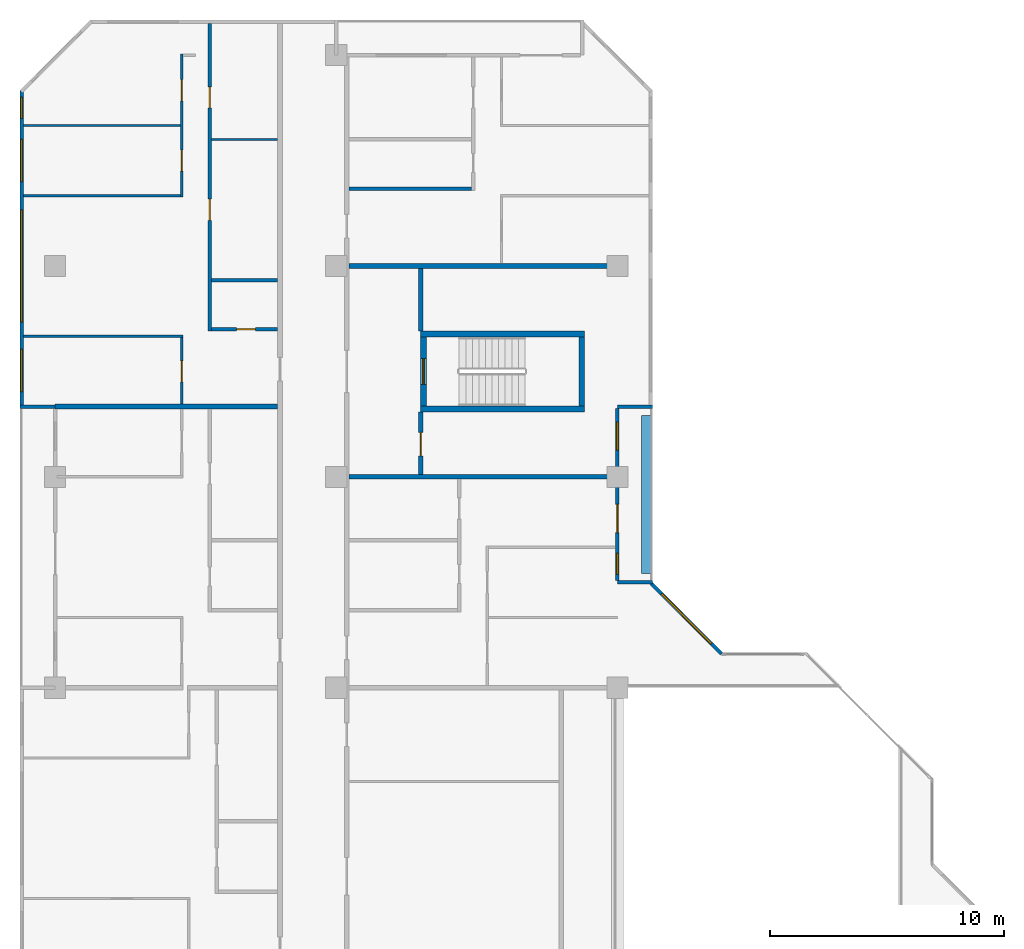
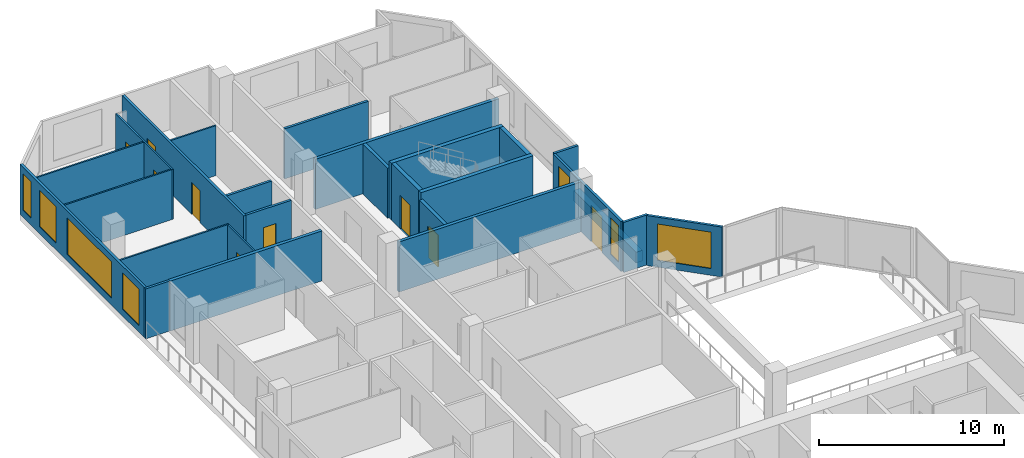
# One storey, part 10 of 15: 26 walls, 9 doors, 7 windows, 16 openings.
"""IFC4 building model written with IfcOpenShell, lengths in metres."""

from ifc_helpers import new_model, si_unit, direction, frame, frame_2d, origin, place, context, subcontext, project, spatial, rectangle, extrude, material, layer, layer_set, type_object, element, fill, save


model = new_model("IFC4")

# Units and contexts
model_context = context("Model", 3, precision=1e-05, world=origin(), true_north=direction((0.0, 1.0)))
body_context = subcontext(model_context, "Body", "Model", "MODEL_VIEW")
ifc_project = project(units=[si_unit("LENGTHUNIT", "METRE"), si_unit("AREAUNIT", "SQUARE_METRE"), si_unit("VOLUMEUNIT", "CUBIC_METRE"), si_unit("PLANEANGLEUNIT", "RADIAN"), si_unit("MASSUNIT", "GRAM", prefix="KILO")], contexts=[model_context])

# Site, building, storey
site_placement = place(None, origin())
site = spatial("IfcSite", under=ifc_project, at=site_placement, CompositionType="ELEMENT")
building_placement = place(site_placement, origin())
building = spatial("IfcBuilding", under=site, at=building_placement, Name="Chenar Terraces", CompositionType="ELEMENT")
storey_placement = place(building_placement, frame((0.0, 0.0, 202.39990234375)))
storey = spatial("IfcBuildingStorey", under=building, at=storey_placement, Name="L47", CompositionType="ELEMENT", Elevation=202.39990234375)

# Walls
ifc_material_1 = material(Name="Concrete C60/75", Category="concrete")
ifc_layer_1 = layer(ifc_material_1, 0.25)
ifc_layer_set_1 = layer_set([ifc_layer_1], Name="Concrete C60/75")
wall_type_1 = type_object("IfcWallType", Name="Core wall 250 Concrete C60/75", PredefinedType="SHEAR", material=ifc_layer_set_1)
for number, where, z_axis, x_axis, name in (
    (1, (15.60009765625, 47.89990234375, 0.0), (0.0, 0.0, 1.0), (1.0, 0.0, 0.0), "Core wall ST4_S L47"),
    (2, (15.60009765625, 51.10009765625, 0.0), (0.0, 0.0, 1.0), (1.0, 0.0, 0.0), "Core wall ST4_N L47"),
):
    element("IfcWall", number, at=place(storey_placement, frame(where, z_axis=z_axis, x_axis=x_axis)), inside=storey, type_object=wall_type_1, Name=name, PredefinedType="SHEAR", context=body_context, shape_type="SweptSolid", body=[
        extrude(rectangle(XDim=7.0, YDim=0.25, at=frame_2d((3.5, 0.0))), origin(), (0.0, 0.0, 1.0), 3.75),
    ])

# Wall, opening, door
wall_1_placement = place(storey_placement, frame((15.72509765625, 48.02490234375, 0.0), z_axis=(0.0, 0.0, 1.0), x_axis=(0.0, 1.0, 0.0)))
wall_1 = element("IfcWall", 3, at=wall_1_placement, inside=storey, type_object=wall_type_1, Name="Core wall ST4_W L47", PredefinedType="SHEAR", context=body_context, shape_type="SweptSolid", body=[
    extrude(rectangle(XDim=2.9501953125, YDim=0.25, at=frame_2d((1.47509765625, 0.0))), origin(), (0.0, 0.0, 1.0), 3.75),
])
opening_1_placement = place(wall_1_placement, frame((0.925048828125, 0.0, 0.0)))
opening_1 = element("IfcOpeningElement", 4, at=opening_1_placement, cuts=wall_1, Name="Opening DL47-C9", PredefinedType="OPENING", context=body_context, shape_type="SweptSolid", body=[
    extrude(rectangle(XDim=1.10009765625, YDim=2.199951171875, at=frame_2d((0.550048828125, 1.10009765625))), frame((0.0, 0.135009765625, 0.0), z_axis=(0.0, -1.0, 0.0), x_axis=(1.0, 0.0, 0.0)), (0.0, 0.0, 1.0), 0.27001953125),
])
ifc_material_2 = material(Name="Steel-framed fire-resisting door leaf", Category="steel")
door_type_1 = type_object("IfcDoorType", Name="Stair fire door FD60 1100 x 2200", OperationType="SINGLE_SWING_LEFT", PredefinedType="DOOR", material=ifc_material_2)
door_1_placement = place(opening_1_placement, frame((1.10009765625, 0.0, 0.0), z_axis=(0.0, 0.0, 1.0), x_axis=(-1.0, 0.0, 0.0)))
door_1 = element("IfcDoor", 5, at=door_1_placement, inside=storey, type_object=door_type_1, Name="Stair door DL47-C9", OperationType="SINGLE_SWING_RIGHT", OverallHeight=2.199951171875, OverallWidth=1.10009765625, PredefinedType="DOOR", context=body_context, shape_type="SweptSolid", body=[
    extrude(rectangle(XDim=1.10009765625, YDim=2.199951171875, at=frame_2d((0.550048828125, 1.10009765625))), frame((0.0, 0.02490234375, 0.0), z_axis=(0.0, -1.0, 0.0), x_axis=(1.0, 0.0, 0.0)), (0.0, 0.0, 1.0), 0.050048828125),
])
fill(opening_1, door_1)

# Wall
wall_2_placement = place(storey_placement, frame((22.47509765625, 48.02490234375, 0.0), z_axis=(0.0, 0.0, 1.0), x_axis=(0.0, 1.0, 0.0)))
element("IfcWall", 6, at=wall_2_placement, inside=storey, type_object=wall_type_1, Name="Core wall ST4_E L47", PredefinedType="SHEAR", context=body_context, shape_type="SweptSolid", body=[
    extrude(rectangle(XDim=2.9501953125, YDim=0.25, at=frame_2d((1.47509765625, 0.0))), origin(), (0.0, 0.0, 1.0), 3.75),
])

# Wall, opening, door
ifc_material_3 = material(Name="Gypsum board on steel studs with fire boards", Category="steel")
ifc_layer_2 = layer(ifc_material_3, 0.199951171875)
ifc_layer_set_2 = layer_set([ifc_layer_2], Name="Gypsum board on steel studs with fire boards")
wall_type_2 = type_object("IfcWallType", Name="Corridor wall 200", PredefinedType="PARTITIONING", material=ifc_layer_set_2)
wall_3_placement = place(storey_placement, frame((15.60009765625, 45.10009765625, 0.0), z_axis=(0.0, 0.0, 1.0), x_axis=(0.0, 1.0, 0.0)))
wall_3 = element("IfcWall", 7, at=wall_3_placement, inside=storey, type_object=wall_type_2, Name="Partition L47-047", PredefinedType="PARTITIONING", context=body_context, shape_type="SweptSolid", body=[
    extrude(rectangle(XDim=2.6748046875, YDim=0.199951171875, at=frame_2d((1.33740234375, 0.0))), origin(), (0.0, 0.0, 1.0), 3.300048828125),
])
opening_2_placement = place(wall_3_placement, frame((0.800048828125, 0.0, 0.0)))
opening_2 = element("IfcOpeningElement", 8, at=opening_2_placement, cuts=wall_3, Name="Opening DL47-42", PredefinedType="OPENING", context=body_context, shape_type="SweptSolid", body=[
    extrude(rectangle(XDim=1.0, YDim=2.10009765625, at=frame_2d((0.5, 1.050048828125))), frame((0.0, 0.10986328125, 0.0), z_axis=(0.0, -1.0, 0.0), x_axis=(1.0, 0.0, 0.0)), (0.0, 0.0, 1.0), 0.219970703125),
])
ifc_material_4 = material(Name="Steel-framed fire-resisting door leaf", Category="steel")
door_type_2 = type_object("IfcDoorType", Name="Fire door FD60 1000 x 2100", OperationType="SINGLE_SWING_LEFT", PredefinedType="DOOR", material=ifc_material_4)
door_2_placement = place(opening_2_placement, frame((1.0, 0.0, 0.0), z_axis=(0.0, 0.0, 1.0), x_axis=(-1.0, 0.0, 0.0)))
door_2 = element("IfcDoor", 9, at=door_2_placement, inside=storey, type_object=door_type_2, Name="Door DL47-42", OperationType="SINGLE_SWING_RIGHT", OverallHeight=2.10009765625, OverallWidth=1.0, PredefinedType="DOOR", context=body_context, shape_type="SweptSolid", body=[
    extrude(rectangle(XDim=1.0, YDim=2.10009765625, at=frame_2d((0.5, 1.050048828125))), frame((0.0, 0.02490234375, 0.0), z_axis=(0.0, -1.0, 0.0), x_axis=(1.0, 0.0, 0.0)), (0.0, 0.0, 1.0), 0.050048828125),
])
fill(opening_2, door_2)

# Wall
wall_4_placement = place(storey_placement, frame((15.60009765625, 51.22509765625, 0.0), z_axis=(0.0, 0.0, 1.0), x_axis=(0.0, 1.0, 0.0)))
element("IfcWall", 10, at=wall_4_placement, inside=storey, type_object=wall_type_2, Name="Partition L47-048", PredefinedType="PARTITIONING", context=body_context, shape_type="SweptSolid", body=[
    extrude(rectangle(XDim=2.6748046875, YDim=0.199951171875, at=frame_2d((1.33740234375, 0.0))), origin(), (0.0, 0.0, 1.0), 3.300048828125),
])

# Wall, openings, windows
ifc_material_5 = material(Name="Aluminium framed glazing", Category="aluminium")
ifc_layer_3 = layer(ifc_material_5, 0.14990234375)
ifc_layer_set_3 = layer_set([ifc_layer_3], Name="Aluminium framed glazing")
wall_type_3 = type_object("IfcWallType", Name="Glazed flush facade wall 150", PredefinedType="SOLIDWALL", material=ifc_layer_set_3)
wall_5_placement = place(storey_placement, frame((-1.425048828125, 61.5, 0.0), z_axis=(0.0, 0.0, 1.0), x_axis=(0.0, -1.0, 0.0)))
wall_5 = element("IfcWall", 11, at=wall_5_placement, inside=storey, type_object=wall_type_3, Name="Glazed flush facade wall", PredefinedType="SOLIDWALL", context=body_context, shape_type="SweptSolid", body=[
    extrude(rectangle(XDim=13.425048828125, YDim=0.14990234375, at=frame_2d((6.71240234375, 0.0))), origin(), (0.0, 0.0, 1.0), 3.300048828125),
])
opening_3_placement = place(wall_5_placement, frame((0.300048828125, 0.0, 0.449951171875)))
opening_3 = element("IfcOpeningElement", 12, at=opening_3_placement, cuts=wall_5, Name="Opening W90x240", PredefinedType="OPENING", context=body_context, shape_type="SweptSolid", body=[
    extrude(rectangle(XDim=0.89990234375, YDim=2.39990234375, at=frame_2d((0.449951171875, 1.199951171875))), frame((0.0, 0.0849609375, 0.0), z_axis=(0.0, -1.0, 0.0), x_axis=(1.0, 0.0, 0.0)), (0.0, 0.0, 1.0), 0.169921875),
])
opening_4_placement = place(wall_5_placement, frame((2.10009765625, 0.0, 0.449951171875)))
opening_4 = element("IfcOpeningElement", 13, at=opening_4_placement, cuts=wall_5, Name="Opening W180x240", PredefinedType="OPENING", context=body_context, shape_type="SweptSolid", body=[
    extrude(rectangle(XDim=1.800048828125, YDim=2.39990234375, at=frame_2d((0.89990234375, 1.199951171875))), frame((0.0, 0.0849609375, 0.0), z_axis=(0.0, -1.0, 0.0), x_axis=(1.0, 0.0, 0.0)), (0.0, 0.0, 1.0), 0.169921875),
])
opening_5_placement = place(wall_5_placement, frame((5.10009765625, 0.0, 0.449951171875)))
opening_5 = element("IfcOpeningElement", 14, at=opening_5_placement, cuts=wall_5, Name="Opening W480x240", PredefinedType="OPENING", context=body_context, shape_type="SweptSolid", body=[
    extrude(rectangle(XDim=4.800048828125, YDim=2.39990234375, at=frame_2d((2.39990234375, 1.199951171875))), frame((0.0, 0.0849609375, 0.0), z_axis=(0.0, -1.0, 0.0), x_axis=(1.0, 0.0, 0.0)), (0.0, 0.0, 1.0), 0.169921875),
])
opening_6_placement = place(wall_5_placement, frame((11.0625, 0.0, 0.449951171875)))
opening_6 = element("IfcOpeningElement", 15, at=opening_6_placement, cuts=wall_5, Name="Opening W180x240", PredefinedType="OPENING", context=body_context, shape_type="SweptSolid", body=[
    extrude(rectangle(XDim=1.800048828125, YDim=2.39990234375, at=frame_2d((0.89990234375, 1.199951171875))), frame((0.0, 0.0849609375, 0.0), z_axis=(0.0, -1.0, 0.0), x_axis=(1.0, 0.0, 0.0)), (0.0, 0.0, 1.0), 0.169921875),
])
ifc_material_6 = material(Name="Low emissivity double glazing, aluminium frame", Category="aluminium")
window_type_1 = type_object("IfcWindowType", Name="Fixed light 1800 x 2400", PartitioningType="SINGLE_PANEL", PredefinedType="WINDOW", material=ifc_material_6)
window_1_placement = place(opening_4_placement, origin())
window_1 = element("IfcWindow", 16, at=window_1_placement, inside=storey, type_object=window_type_1, Name="Window", OverallHeight=2.39990234375, OverallWidth=1.800048828125, PartitioningType="SINGLE_PANEL", PredefinedType="WINDOW", context=body_context, shape_type="SweptSolid", body=[
    extrude(rectangle(XDim=1.800048828125, YDim=2.39990234375, at=frame_2d((0.89990234375, 1.199951171875))), frame((0.0, 0.030029296875, 0.0), z_axis=(0.0, -1.0, 0.0), x_axis=(1.0, 0.0, 0.0)), (0.0, 0.0, 1.0), 0.06005859375),
])
fill(opening_4, window_1)
window_2_placement = place(opening_6_placement, origin())
window_2 = element("IfcWindow", 17, at=window_2_placement, inside=storey, type_object=window_type_1, Name="Window", OverallHeight=2.39990234375, OverallWidth=1.800048828125, PartitioningType="SINGLE_PANEL", PredefinedType="WINDOW", context=body_context, shape_type="SweptSolid", body=[
    extrude(rectangle(XDim=1.800048828125, YDim=2.39990234375, at=frame_2d((0.89990234375, 1.199951171875))), frame((0.0, 0.030029296875, 0.0), z_axis=(0.0, -1.0, 0.0), x_axis=(1.0, 0.0, 0.0)), (0.0, 0.0, 1.0), 0.06005859375),
])
fill(opening_6, window_2)
ifc_material_7 = material(Name="Low emissivity double glazing, aluminium frame", Category="aluminium")
window_type_2 = type_object("IfcWindowType", Name="Fixed light 4800 x 2400", PartitioningType="SINGLE_PANEL", PredefinedType="WINDOW", material=ifc_material_7)
window_3_placement = place(opening_5_placement, origin())
window_3 = element("IfcWindow", 18, at=window_3_placement, inside=storey, type_object=window_type_2, Name="Window", OverallHeight=2.39990234375, OverallWidth=4.800048828125, PartitioningType="SINGLE_PANEL", PredefinedType="WINDOW", context=body_context, shape_type="SweptSolid", body=[
    extrude(rectangle(XDim=4.800048828125, YDim=2.39990234375, at=frame_2d((2.39990234375, 1.199951171875))), frame((0.0, 0.030029296875, 0.0), z_axis=(0.0, -1.0, 0.0), x_axis=(1.0, 0.0, 0.0)), (0.0, 0.0, 1.0), 0.06005859375),
])
fill(opening_5, window_3)
ifc_material_8 = material(Name="Low emissivity double glazing, aluminium frame", Category="aluminium")
window_type_3 = type_object("IfcWindowType", Name="Fixed light 900 x 2400", PartitioningType="SINGLE_PANEL", PredefinedType="WINDOW", material=ifc_material_8)
window_4_placement = place(opening_3_placement, origin())
window_4 = element("IfcWindow", 19, at=window_4_placement, inside=storey, type_object=window_type_3, Name="Window", OverallHeight=2.39990234375, OverallWidth=0.89990234375, PartitioningType="SINGLE_PANEL", PredefinedType="WINDOW", context=body_context, shape_type="SweptSolid", body=[
    extrude(rectangle(XDim=0.89990234375, YDim=2.39990234375, at=frame_2d((0.449951171875, 1.199951171875))), frame((0.0, 0.030029296875, 0.0), z_axis=(0.0, -1.0, 0.0), x_axis=(1.0, 0.0, 0.0)), (0.0, 0.0, 1.0), 0.06005859375),
])
fill(opening_3, window_4)

# Wall, openings, windows, door
ifc_material_9 = material(Name="Aluminium framed glazing", Category="aluminium")
ifc_layer_4 = layer(ifc_material_9, 0.14990234375)
ifc_layer_set_4 = layer_set([ifc_layer_4], Name="Aluminium framed glazing")
wall_type_4 = type_object("IfcWallType", Name="Glazed loggia back wall 150", PredefinedType="SOLIDWALL", material=ifc_layer_set_4)
wall_6_placement = place(storey_placement, frame((24.0, 40.574951171875, 0.0), z_axis=(0.0, 0.0, 1.0), x_axis=(0.0, 1.0, 0.0)))
wall_6 = element("IfcWall", 20, at=wall_6_placement, inside=storey, type_object=wall_type_4, Name="Glazed loggia back wall", PredefinedType="SOLIDWALL", context=body_context, shape_type="SweptSolid", body=[
    extrude(rectangle(XDim=7.35009765625, YDim=0.14990234375, at=frame_2d((3.675048828125, 0.0))), origin(), (0.0, 0.0, 1.0), 3.300048828125),
])
opening_7_placement = place(wall_6_placement, frame((0.262451171875, 0.0, 0.449951171875)))
opening_7 = element("IfcOpeningElement", 21, at=opening_7_placement, cuts=wall_6, Name="Opening W90x240", PredefinedType="OPENING", context=body_context, shape_type="SweptSolid", body=[
    extrude(rectangle(XDim=0.89990234375, YDim=2.39990234375, at=frame_2d((0.449951171875, 1.199951171875))), frame((0.0, 0.0849609375, 0.0), z_axis=(0.0, -1.0, 0.0), x_axis=(1.0, 0.0, 0.0)), (0.0, 0.0, 1.0), 0.169921875),
])
opening_8_placement = place(wall_6_placement, frame((2.050048828125, 0.0, 0.0)))
opening_8 = element("IfcOpeningElement", 22, at=opening_8_placement, cuts=wall_6, Name="Opening DL47-G1", PredefinedType="OPENING", context=body_context, shape_type="SweptSolid", body=[
    extrude(rectangle(XDim=1.199951171875, YDim=2.39990234375, at=frame_2d((0.60009765625, 1.199951171875))), frame((0.0, 0.0849609375, 0.0), z_axis=(0.0, -1.0, 0.0), x_axis=(1.0, 0.0, 0.0)), (0.0, 0.0, 1.0), 0.169921875),
])
opening_9_placement = place(wall_6_placement, frame((5.5625, 0.0, 0.449951171875)))
opening_9 = element("IfcOpeningElement", 23, at=opening_9_placement, cuts=wall_6, Name="Opening W120x240", PredefinedType="OPENING", context=body_context, shape_type="SweptSolid", body=[
    extrude(rectangle(XDim=1.199951171875, YDim=2.39990234375, at=frame_2d((0.60009765625, 1.199951171875))), frame((0.0, 0.0849609375, 0.0), z_axis=(0.0, -1.0, 0.0), x_axis=(1.0, 0.0, 0.0)), (0.0, 0.0, 1.0), 0.169921875),
])
ifc_material_10 = material(Name="Low emissivity double glazing, aluminium frame", Category="aluminium")
window_type_4 = type_object("IfcWindowType", Name="Fixed light 1200 x 2400", PartitioningType="SINGLE_PANEL", PredefinedType="WINDOW", material=ifc_material_10)
window_5_placement = place(opening_9_placement, origin())
window_5 = element("IfcWindow", 24, at=window_5_placement, inside=storey, type_object=window_type_4, Name="Window", OverallHeight=2.39990234375, OverallWidth=1.199951171875, PartitioningType="SINGLE_PANEL", PredefinedType="WINDOW", context=body_context, shape_type="SweptSolid", body=[
    extrude(rectangle(XDim=1.199951171875, YDim=2.39990234375, at=frame_2d((0.60009765625, 1.199951171875))), frame((0.0, 0.030029296875, 0.0), z_axis=(0.0, -1.0, 0.0), x_axis=(1.0, 0.0, 0.0)), (0.0, 0.0, 1.0), 0.06005859375),
])
fill(opening_9, window_5)
window_6_placement = place(opening_7_placement, origin())
window_6 = element("IfcWindow", 25, at=window_6_placement, inside=storey, type_object=window_type_3, Name="Window", OverallHeight=2.39990234375, OverallWidth=0.89990234375, PartitioningType="SINGLE_PANEL", PredefinedType="WINDOW", context=body_context, shape_type="SweptSolid", body=[
    extrude(rectangle(XDim=0.89990234375, YDim=2.39990234375, at=frame_2d((0.449951171875, 1.199951171875))), frame((0.0, 0.030029296875, 0.0), z_axis=(0.0, -1.0, 0.0), x_axis=(1.0, 0.0, 0.0)), (0.0, 0.0, 1.0), 0.06005859375),
])
fill(opening_7, window_6)
ifc_material_11 = material(Name="Low emissivity double glazing, aluminium frame", Category="aluminium")
door_type_3 = type_object("IfcDoorType", Name="Loggia glazed double door 1200 x 2400", OperationType="DOUBLE_DOOR_SINGLE_SWING", PredefinedType="DOOR", material=ifc_material_11)
door_3_placement = place(opening_8_placement, frame((1.199951171875, 0.0, 0.0), z_axis=(0.0, 0.0, 1.0), x_axis=(-1.0, 0.0, 0.0)))
door_3 = element("IfcDoor", 26, at=door_3_placement, inside=storey, type_object=door_type_3, Name="Loggia glazed door", OperationType="DOUBLE_DOOR_SINGLE_SWING", OverallHeight=2.39990234375, OverallWidth=1.199951171875, PredefinedType="DOOR", context=body_context, shape_type="SweptSolid", body=[
    extrude(rectangle(XDim=1.199951171875, YDim=2.39990234375, at=frame_2d((0.60009765625, 1.199951171875))), frame((0.0, 0.02490234375, 0.0), z_axis=(0.0, -1.0, 0.0), x_axis=(1.0, 0.0, 0.0)), (0.0, 0.0, 1.0), 0.050048828125),
])
fill(opening_8, door_3)

# Walls
ifc_material_12 = material(Name="Gypsum board on steel studs", Category="steel")
ifc_layer_5 = layer(ifc_material_12, 0.10009765625)
ifc_layer_set_5 = layer_set([ifc_layer_5], Name="Gypsum board on steel studs")
wall_type_5 = type_object("IfcWallType", Name="Gypsum partition 100", PredefinedType="PARTITIONING", material=ifc_layer_set_5)
wall_7_placement = place(storey_placement, frame((-1.35107421875, 60.0, 0.0), z_axis=(0.0, 0.0, 1.0), x_axis=(1.0, 0.0, 0.0)))
element("IfcWall", 27, at=wall_7_placement, inside=storey, type_object=wall_type_5, Name="Partition L47-001", PredefinedType="PARTITIONING", context=body_context, shape_type="SweptSolid", body=[
    extrude(rectangle(XDim=6.701171875, YDim=0.10009765625, at=frame_2d((3.3505859375, 0.0))), origin(), (0.0, 0.0, 1.0), 3.300048828125),
])
wall_8_placement = place(storey_placement, frame((-1.35009765625, 51.0, 0.0), z_axis=(0.0, 0.0, 1.0), x_axis=(1.0, 0.0, 0.0)))
element("IfcWall", 28, at=wall_8_placement, inside=storey, type_object=wall_type_5, Name="Partition L47-006", PredefinedType="PARTITIONING", context=body_context, shape_type="SweptSolid", body=[
    extrude(rectangle(XDim=6.800048828125, YDim=0.10009765625, at=frame_2d((3.39990234375, 0.0))), origin(), (0.0, 0.0, 1.0), 3.300048828125),
])
wall_9_placement = place(storey_placement, frame((-1.35009765625, 57.0, 0.0), z_axis=(0.0, 0.0, 1.0), x_axis=(1.0, 0.0, 0.0)))
element("IfcWall", 29, at=wall_9_placement, inside=storey, type_object=wall_type_5, Name="Partition L47-007", PredefinedType="PARTITIONING", context=body_context, shape_type="SweptSolid", body=[
    extrude(rectangle(XDim=6.7001953125, YDim=0.10009765625, at=frame_2d((3.35009765625, 0.0))), origin(), (0.0, 0.0, 1.0), 3.300048828125),
])

# Wall, opening, door
wall_10_placement = place(storey_placement, frame((5.39990234375, 48.10009765625, 0.0), z_axis=(0.0, 0.0, 1.0), x_axis=(0.0, 1.0, 0.0)))
wall_10 = element("IfcWall", 30, at=wall_10_placement, inside=storey, type_object=wall_type_5, Name="Partition L47-015", PredefinedType="PARTITIONING", context=body_context, shape_type="SweptSolid", body=[
    extrude(rectangle(XDim=2.849853515625, YDim=0.10009765625, at=frame_2d((1.4248046875, 0.0))), origin(), (0.0, 0.0, 1.0), 3.300048828125),
])
opening_10_placement = place(wall_10_placement, frame((0.949951171875, 0.0, 0.0)))
opening_10 = element("IfcOpeningElement", 31, at=opening_10_placement, cuts=wall_10, Name="Opening DL47-31", PredefinedType="OPENING", context=body_context, shape_type="SweptSolid", body=[
    extrude(rectangle(XDim=0.89990234375, YDim=2.10009765625, at=frame_2d((0.449951171875, 1.050048828125))), frame((0.0, 0.06005859375, 0.0), z_axis=(0.0, -1.0, 0.0), x_axis=(1.0, 0.0, 0.0)), (0.0, 0.0, 1.0), 0.1201171875),
])
ifc_material_13 = material(Name="Veneered timber door leaf", Category="wood")
door_type_4 = type_object("IfcDoorType", Name="Door 900 x 2100", OperationType="SINGLE_SWING_LEFT", PredefinedType="DOOR", material=ifc_material_13)
door_4_placement = place(opening_10_placement, origin())
door_4 = element("IfcDoor", 32, at=door_4_placement, inside=storey, type_object=door_type_4, Name="Door DL47-31", OperationType="SINGLE_SWING_RIGHT", OverallHeight=2.10009765625, OverallWidth=0.89990234375, PredefinedType="DOOR", context=body_context, shape_type="SweptSolid", body=[
    extrude(rectangle(XDim=0.89990234375, YDim=2.10009765625, at=frame_2d((0.449951171875, 1.050048828125))), frame((0.0, 0.02490234375, 0.0), z_axis=(0.0, -1.0, 0.0), x_axis=(1.0, 0.0, 0.0)), (0.0, 0.0, 1.0), 0.050048828125),
])
fill(opening_10, door_4)

# Wall, openings, doors
wall_11_placement = place(storey_placement, frame((5.39990234375, 56.949951171875, 0.0), z_axis=(0.0, 0.0, 1.0), x_axis=(0.0, 1.0, 0.0)))
wall_11 = element("IfcWall", 33, at=wall_11_placement, inside=storey, type_object=wall_type_5, Name="Partition L47-016", PredefinedType="PARTITIONING", context=body_context, shape_type="SweptSolid", body=[
    extrude(rectangle(XDim=6.10009765625, YDim=0.10009765625, at=frame_2d((3.050048828125, 0.0))), origin(), (0.0, 0.0, 1.0), 3.300048828125),
])
opening_11_placement = place(wall_11_placement, frame((1.10009765625, 0.0, 0.0)))
opening_11 = element("IfcOpeningElement", 34, at=opening_11_placement, cuts=wall_11, Name="Opening DL47-32", PredefinedType="OPENING", context=body_context, shape_type="SweptSolid", body=[
    extrude(rectangle(XDim=0.89990234375, YDim=2.10009765625, at=frame_2d((0.449951171875, 1.050048828125))), frame((0.0, 0.06005859375, 0.0), z_axis=(0.0, -1.0, 0.0), x_axis=(1.0, 0.0, 0.0)), (0.0, 0.0, 1.0), 0.1201171875),
])
opening_12_placement = place(wall_11_placement, frame((4.10009765625, 0.0, 0.0)))
opening_12 = element("IfcOpeningElement", 35, at=opening_12_placement, cuts=wall_11, Name="Opening DL47-33", PredefinedType="OPENING", context=body_context, shape_type="SweptSolid", body=[
    extrude(rectangle(XDim=0.89990234375, YDim=2.10009765625, at=frame_2d((0.449951171875, 1.050048828125))), frame((0.0, 0.06005859375, 0.0), z_axis=(0.0, -1.0, 0.0), x_axis=(1.0, 0.0, 0.0)), (0.0, 0.0, 1.0), 0.1201171875),
])
door_5_placement = place(opening_11_placement, origin())
door_5 = element("IfcDoor", 36, at=door_5_placement, inside=storey, type_object=door_type_4, Name="Door DL47-32", OperationType="SINGLE_SWING_LEFT", OverallHeight=2.10009765625, OverallWidth=0.89990234375, PredefinedType="DOOR", context=body_context, shape_type="SweptSolid", body=[
    extrude(rectangle(XDim=0.89990234375, YDim=2.10009765625, at=frame_2d((0.449951171875, 1.050048828125))), frame((0.0, 0.02490234375, 0.0), z_axis=(0.0, -1.0, 0.0), x_axis=(1.0, 0.0, 0.0)), (0.0, 0.0, 1.0), 0.050048828125),
])
fill(opening_11, door_5)
door_6_placement = place(opening_12_placement, origin())
door_6 = element("IfcDoor", 37, at=door_6_placement, inside=storey, type_object=door_type_4, Name="Door DL47-33", OperationType="SINGLE_SWING_LEFT", OverallHeight=2.10009765625, OverallWidth=0.89990234375, PredefinedType="DOOR", context=body_context, shape_type="SweptSolid", body=[
    extrude(rectangle(XDim=0.89990234375, YDim=2.10009765625, at=frame_2d((0.449951171875, 1.050048828125))), frame((0.0, 0.02490234375, 0.0), z_axis=(0.0, -1.0, 0.0), x_axis=(1.0, 0.0, 0.0)), (0.0, 0.0, 1.0), 0.050048828125),
])
fill(opening_12, door_6)

# Walls
wall_12_placement = place(storey_placement, frame((6.675048828125, 59.39990234375, 0.0), z_axis=(0.0, 0.0, 1.0), x_axis=(1.0, 0.0, 0.0)))
element("IfcWall", 38, at=wall_12_placement, inside=storey, type_object=wall_type_5, Name="Partition L47-027", PredefinedType="PARTITIONING", context=body_context, shape_type="SweptSolid", body=[
    extrude(rectangle(XDim=2.824951171875, YDim=0.10009765625, at=frame_2d((1.41259765625, 0.0))), origin(), (0.0, 0.0, 1.0), 3.300048828125),
])
ifc_material_14 = material(Name="Terracotta cladding on insulated backing", Category="masonry")
ifc_layer_6 = layer(ifc_material_14, 0.14990234375)
ifc_layer_set_6 = layer_set([ifc_layer_6], Name="Terracotta cladding on insulated backing")
wall_type_6 = type_object("IfcWallType", Name="Loggia return wall 150", PredefinedType="SOLIDWALL", material=ifc_layer_set_6)
for number, where, z_axis, x_axis, name in (
    (39, (25.5, 40.5, 0.0), (0.0, 0.0, 1.0), (-1.0, 0.0, 0.0), "Loggia return wall"),
    (40, (25.5, 48.0, 0.0), (0.0, 0.0, 1.0), (-1.0, 0.0, 0.0), "Loggia return wall"),
    (41, (-1.5, 48.0, 0.0), (0.0, 0.0, 1.0), (1.0, 0.0, 0.0), "Loggia return wall"),
):
    element("IfcWall", number, at=place(storey_placement, frame(where, z_axis=z_axis, x_axis=x_axis)), inside=storey, type_object=wall_type_6, Name=name, PredefinedType="SOLIDWALL", context=body_context, shape_type="SweptSolid", body=[
        extrude(rectangle(XDim=1.5, YDim=0.14990234375, at=frame_2d((0.75, 0.0))), origin(), (0.0, 0.0, 1.0), 3.300048828125),
    ])

# Wall, opening, window
ifc_material_15 = material(Name="Terracotta cladding on insulated backing", Category="masonry")
ifc_layer_7 = layer(ifc_material_15, 0.14990234375)
ifc_layer_set_7 = layer_set([ifc_layer_7], Name="Terracotta cladding on insulated backing")
wall_type_7 = type_object("IfcWallType", Name="Terracotta rainscreen wall 150", PredefinedType="SOLIDWALL", material=ifc_layer_set_7)
wall_13_placement = place(storey_placement, frame((28.447021484375, 37.447021484375, 0.0), z_axis=(0.0, 0.0, 1.0), x_axis=(-0.707106781187, 0.707106781187, 0.0)))
wall_13 = element("IfcWall", 42, at=wall_13_placement, inside=storey, type_object=wall_type_7, Name="Terracotta rainscreen wall", PredefinedType="SOLIDWALL", context=body_context, shape_type="SweptSolid", body=[
    extrude(rectangle(XDim=4.24267578125, YDim=0.14990234375, at=frame_2d((2.121337890625, 0.0))), origin(), (0.0, 0.0, 1.0), 3.300048828125),
])
opening_13_placement = place(wall_13_placement, frame((0.621337890625, 0.0, 0.449951171875)))
opening_13 = element("IfcOpeningElement", 43, at=opening_13_placement, cuts=wall_13, Name="Opening W300x240", PredefinedType="OPENING", context=body_context, shape_type="SweptSolid", body=[
    extrude(rectangle(XDim=3.0, YDim=2.39990234375, at=frame_2d((1.5, 1.199951171875))), frame((0.0, 0.0849609375, 0.0), z_axis=(0.0, -1.0, 0.0), x_axis=(1.0, 0.0, 0.0)), (0.0, 0.0, 1.0), 0.169921875),
])
ifc_material_16 = material(Name="Low emissivity double glazing, aluminium frame", Category="aluminium")
window_type_5 = type_object("IfcWindowType", Name="Fixed light 3000 x 2400", PartitioningType="SINGLE_PANEL", PredefinedType="WINDOW", material=ifc_material_16)
window_7_placement = place(opening_13_placement, origin())
window_7 = element("IfcWindow", 44, at=window_7_placement, inside=storey, type_object=window_type_5, Name="Window", OverallHeight=2.39990234375, OverallWidth=3.0, PartitioningType="SINGLE_PANEL", PredefinedType="WINDOW", context=body_context, shape_type="SweptSolid", body=[
    extrude(rectangle(XDim=3.0, YDim=2.39990234375, at=frame_2d((1.5, 1.199951171875))), frame((0.0, 0.030029296875, 0.0), z_axis=(0.0, -1.0, 0.0), x_axis=(1.0, 0.0, 0.0)), (0.0, 0.0, 1.0), 0.06005859375),
])
fill(opening_13, window_7)

# Walls
ifc_material_17 = material(Name="Twin gypsum board on steel studs with mineral wool", Category="steel")
ifc_layer_8 = layer(ifc_material_17, 0.199951171875)
ifc_layer_set_8 = layer_set([ifc_layer_8], Name="Twin gypsum board on steel studs with mineral wool")
wall_type_8 = type_object("IfcWallType", Name="Unit demising wall 200", PredefinedType="PARTITIONING", material=ifc_layer_set_8)
wall_14_placement = place(storey_placement, frame((0.0, 48.0, 0.0), z_axis=(0.0, 0.0, 1.0), x_axis=(1.0, 0.0, 0.0)))
element("IfcWall", 45, at=wall_14_placement, inside=storey, type_object=wall_type_8, Name="Partition L47-005", PredefinedType="PARTITIONING", context=body_context, shape_type="SweptSolid", body=[
    extrude(rectangle(XDim=9.5, YDim=0.199951171875, at=frame_2d((4.75, 0.0))), origin(), (0.0, 0.0, 1.0), 3.300048828125),
])
wall_15_placement = place(storey_placement, frame((12.550048828125, 45.0, 0.0), z_axis=(0.0, 0.0, 1.0), x_axis=(1.0, 0.0, 0.0)))
element("IfcWall", 46, at=wall_15_placement, inside=storey, type_object=wall_type_8, Name="Partition L47-042", PredefinedType="PARTITIONING", context=body_context, shape_type="SweptSolid", body=[
    extrude(rectangle(XDim=11.3759765625, YDim=0.199951171875, at=frame_2d((5.68798828125, 0.0))), origin(), (0.0, 0.0, 1.0), 3.300048828125),
])
wall_16_placement = place(storey_placement, frame((12.550048828125, 54.0, 0.0), z_axis=(0.0, 0.0, 1.0), x_axis=(1.0, 0.0, 0.0)))
element("IfcWall", 47, at=wall_16_placement, inside=storey, type_object=wall_type_8, Name="Partition L47-043", PredefinedType="PARTITIONING", context=body_context, shape_type="SweptSolid", body=[
    extrude(rectangle(XDim=11.449951171875, YDim=0.199951171875, at=frame_2d((5.72509765625, 0.0))), origin(), (0.0, 0.0, 1.0), 3.300048828125),
])
ifc_material_18 = material(Name="GRP planter trough")
ifc_layer_9 = layer(ifc_material_18, 0.39990234375)
ifc_layer_set_9 = layer_set([ifc_layer_9], Name="GRP planter trough")
wall_type_9 = type_object("IfcWallType", Name="Vertical greenery planter 400", PredefinedType="SOLIDWALL", material=ifc_layer_set_9)
wall_17_placement = place(storey_placement, frame((25.22900390625, 40.875, 0.0), z_axis=(0.0, 0.0, 1.0), x_axis=(0.0, 1.0, 0.0)))
element("IfcWall", 48, at=wall_17_placement, inside=storey, type_object=wall_type_9, Name="Vertical greenery planter", PredefinedType="SOLIDWALL", context=body_context, shape_type="SweptSolid", body=[
    extrude(rectangle(XDim=6.75, YDim=0.39990234375, at=frame_2d((3.375, 0.0))), origin(), (0.0, 0.0, 1.0), 0.7001953125),
])

# Wall, openings, doors
ifc_material_19 = material(Name="Moisture-resistant gypsum board on steel studs", Category="steel")
ifc_layer_10 = layer(ifc_material_19, 0.14990234375)
ifc_layer_set_10 = layer_set([ifc_layer_10], Name="Moisture-resistant gypsum board on steel studs")
wall_type_10 = type_object("IfcWallType", Name="Wet-room partition 150", PredefinedType="PARTITIONING", material=ifc_layer_set_10)
wall_18_placement = place(storey_placement, frame((6.60009765625, 51.22509765625, 0.0), z_axis=(0.0, 0.0, 1.0), x_axis=(0.0, 1.0, 0.0)))
wall_18 = element("IfcWall", 49, at=wall_18_placement, inside=storey, type_object=wall_type_10, Name="Partition L47-022", PredefinedType="PARTITIONING", context=body_context, shape_type="SweptSolid", body=[
    extrude(rectangle(XDim=13.125, YDim=0.14990234375, at=frame_2d((6.5625, 0.0))), origin(), (0.0, 0.0, 1.0), 3.300048828125),
])
opening_14_placement = place(wall_18_placement, frame((4.72509765625, 0.0, 0.0)))
opening_14 = element("IfcOpeningElement", 50, at=opening_14_placement, cuts=wall_18, Name="Opening DL47-34", PredefinedType="OPENING", context=body_context, shape_type="SweptSolid", body=[
    extrude(rectangle(XDim=0.89990234375, YDim=2.10009765625, at=frame_2d((0.449951171875, 1.050048828125))), frame((0.0, 0.0849609375, 0.0), z_axis=(0.0, -1.0, 0.0), x_axis=(1.0, 0.0, 0.0)), (0.0, 0.0, 1.0), 0.169921875),
])
opening_15_placement = place(wall_18_placement, frame((9.52490234375, 0.0, 0.0)))
opening_15 = element("IfcOpeningElement", 51, at=opening_15_placement, cuts=wall_18, Name="Opening DL47-36", PredefinedType="OPENING", context=body_context, shape_type="SweptSolid", body=[
    extrude(rectangle(XDim=0.89990234375, YDim=2.10009765625, at=frame_2d((0.449951171875, 1.050048828125))), frame((0.0, 0.0849609375, 0.0), z_axis=(0.0, -1.0, 0.0), x_axis=(1.0, 0.0, 0.0)), (0.0, 0.0, 1.0), 0.169921875),
])
door_7_placement = place(opening_14_placement, frame((0.89990234375, 0.0, 0.0), z_axis=(0.0, 0.0, 1.0), x_axis=(-1.0, 0.0, 0.0)))
door_7 = element("IfcDoor", 52, at=door_7_placement, inside=storey, type_object=door_type_4, Name="Door DL47-34", OperationType="SINGLE_SWING_RIGHT", OverallHeight=2.10009765625, OverallWidth=0.89990234375, PredefinedType="DOOR", context=body_context, shape_type="SweptSolid", body=[
    extrude(rectangle(XDim=0.89990234375, YDim=2.10009765625, at=frame_2d((0.449951171875, 1.050048828125))), frame((0.0, 0.02490234375, 0.0), z_axis=(0.0, -1.0, 0.0), x_axis=(1.0, 0.0, 0.0)), (0.0, 0.0, 1.0), 0.050048828125),
])
fill(opening_14, door_7)
door_8_placement = place(opening_15_placement, frame((0.89990234375, 0.0, 0.0), z_axis=(0.0, 0.0, 1.0), x_axis=(-1.0, 0.0, 0.0)))
door_8 = element("IfcDoor", 53, at=door_8_placement, inside=storey, type_object=door_type_4, Name="Door DL47-36", OperationType="SINGLE_SWING_RIGHT", OverallHeight=2.10009765625, OverallWidth=0.89990234375, PredefinedType="DOOR", context=body_context, shape_type="SweptSolid", body=[
    extrude(rectangle(XDim=0.89990234375, YDim=2.10009765625, at=frame_2d((0.449951171875, 1.050048828125))), frame((0.0, 0.02490234375, 0.0), z_axis=(0.0, -1.0, 0.0), x_axis=(1.0, 0.0, 0.0)), (0.0, 0.0, 1.0), 0.050048828125),
])
fill(opening_15, door_8)

# Wall, opening, door
wall_19_placement = place(storey_placement, frame((6.675048828125, 51.300048828125, 0.0), z_axis=(0.0, 0.0, 1.0), x_axis=(1.0, 0.0, 0.0)))
wall_19 = element("IfcWall", 54, at=wall_19_placement, inside=storey, type_object=wall_type_10, Name="Partition L47-025", PredefinedType="PARTITIONING", context=body_context, shape_type="SweptSolid", body=[
    extrude(rectangle(XDim=2.824951171875, YDim=0.14990234375, at=frame_2d((1.41259765625, 0.0))), origin(), (0.0, 0.0, 1.0), 3.300048828125),
])
opening_16_placement = place(wall_19_placement, frame((1.074951171875, 0.0, 0.0)))
opening_16 = element("IfcOpeningElement", 55, at=opening_16_placement, cuts=wall_19, Name="Opening DL47-30", PredefinedType="OPENING", context=body_context, shape_type="SweptSolid", body=[
    extrude(rectangle(XDim=0.800048828125, YDim=2.10009765625, at=frame_2d((0.39990234375, 1.050048828125))), frame((0.0, 0.0849609375, 0.0), z_axis=(0.0, -1.0, 0.0), x_axis=(1.0, 0.0, 0.0)), (0.0, 0.0, 1.0), 0.169921875),
])
ifc_material_20 = material(Name="Veneered timber door leaf", Category="wood")
door_type_5 = type_object("IfcDoorType", Name="Door 800 x 2100", OperationType="SINGLE_SWING_LEFT", PredefinedType="DOOR", material=ifc_material_20)
door_9_placement = place(opening_16_placement, origin())
door_9 = element("IfcDoor", 56, at=door_9_placement, inside=storey, type_object=door_type_5, Name="Door DL47-30", OperationType="SINGLE_SWING_RIGHT", OverallHeight=2.10009765625, OverallWidth=0.800048828125, PredefinedType="DOOR", context=body_context, shape_type="SweptSolid", body=[
    extrude(rectangle(XDim=0.800048828125, YDim=2.10009765625, at=frame_2d((0.39990234375, 1.050048828125))), frame((0.0, 0.02490234375, 0.0), z_axis=(0.0, -1.0, 0.0), x_axis=(1.0, 0.0, 0.0)), (0.0, 0.0, 1.0), 0.050048828125),
])
fill(opening_16, door_9)

# Walls
wall_20_placement = place(storey_placement, frame((6.675048828125, 53.39990234375, 0.0), z_axis=(0.0, 0.0, 1.0), x_axis=(1.0, 0.0, 0.0)))
element("IfcWall", 57, at=wall_20_placement, inside=storey, type_object=wall_type_10, Name="Partition L47-026", PredefinedType="PARTITIONING", context=body_context, shape_type="SweptSolid", body=[
    extrude(rectangle(XDim=2.824951171875, YDim=0.14990234375, at=frame_2d((1.41259765625, 0.0))), origin(), (0.0, 0.0, 1.0), 3.300048828125),
])
wall_21_placement = place(storey_placement, frame((12.550048828125, 57.300048828125, 0.0), z_axis=(0.0, 0.0, 1.0), x_axis=(1.0, 0.0, 0.0)))
element("IfcWall", 58, at=wall_21_placement, inside=storey, type_object=wall_type_10, Name="Partition L47-044", PredefinedType="PARTITIONING", context=body_context, shape_type="SweptSolid", body=[
    extrude(rectangle(XDim=5.224853515625, YDim=0.14990234375, at=frame_2d((2.6123046875, 0.0))), origin(), (0.0, 0.0, 1.0), 3.300048828125),
])

save(model, "model.ifc")
